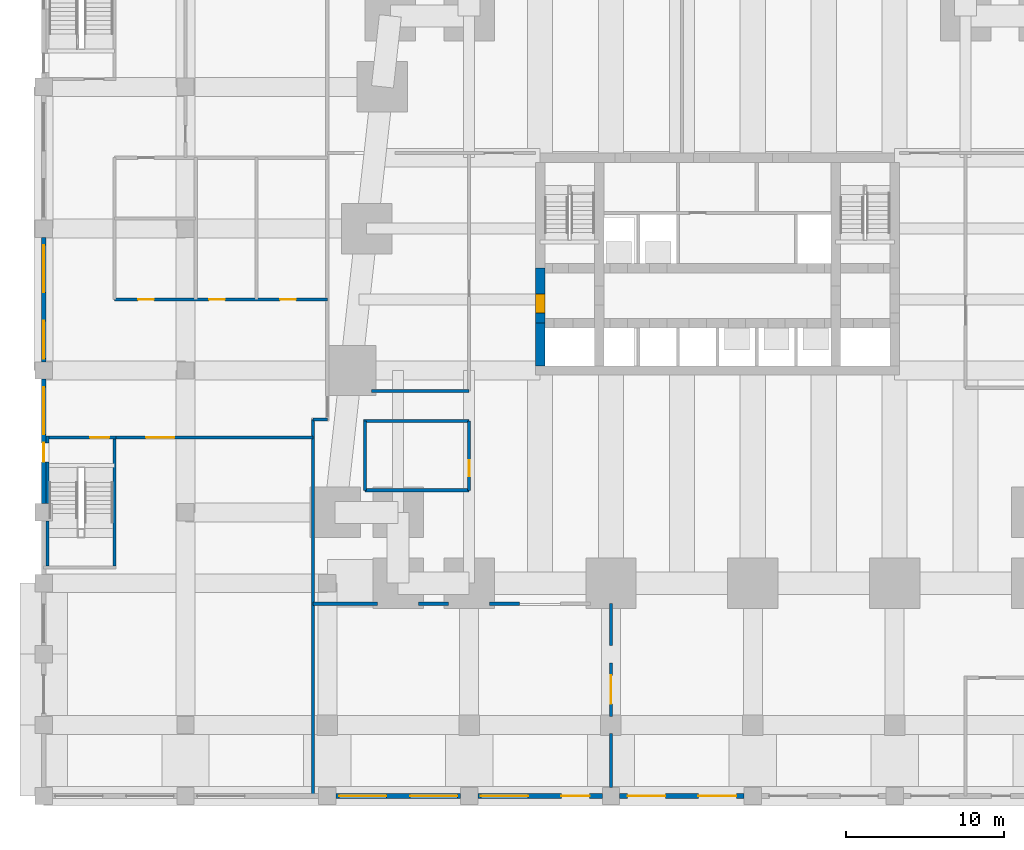
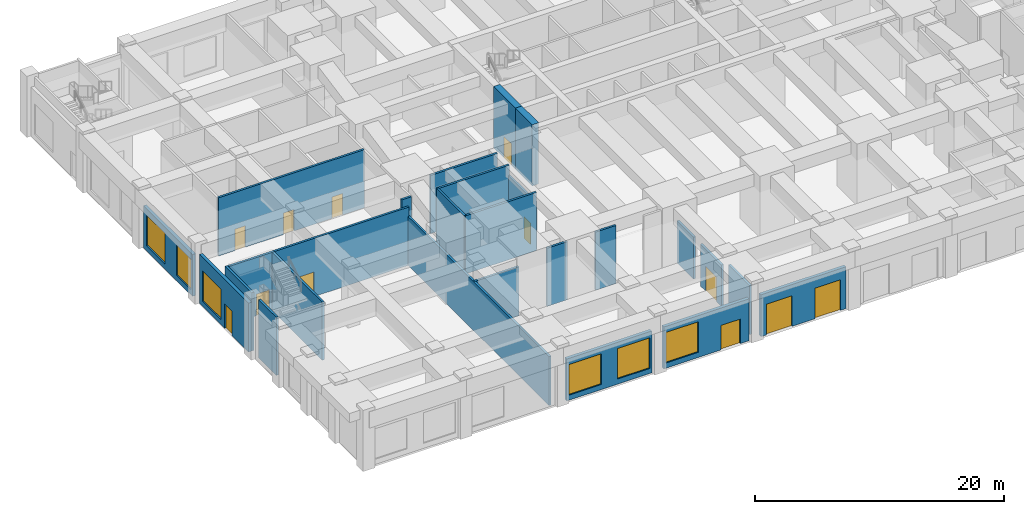
# One storey, part 3 of 13: 26 walls, 12 doors, 6 windows, 19 openings.
"""IFC4 building model written with IfcOpenShell, lengths in metres."""

from ifc_helpers import new_model, si_unit, direction, frame, frame_2d, origin, place, context, subcontext, project, spatial, rectangle, extrude, material, layer, layer_set, type_object, element, fill, save


model = new_model("IFC4")

# Units and contexts
model_context = context("Model", 3, precision=1e-05, world=origin(), true_north=direction((0.0, 1.0)))
body_context = subcontext(model_context, "Body", "Model", "MODEL_VIEW")
ifc_project = project(units=[si_unit("LENGTHUNIT", "METRE"), si_unit("AREAUNIT", "SQUARE_METRE"), si_unit("VOLUMEUNIT", "CUBIC_METRE"), si_unit("PLANEANGLEUNIT", "RADIAN"), si_unit("MASSUNIT", "GRAM", prefix="KILO")], contexts=[model_context])

# Site, building, storey
site_placement = place(None, origin())
site = spatial("IfcSite", under=ifc_project, at=site_placement, CompositionType="ELEMENT")
building_placement = place(site_placement, origin())
building = spatial("IfcBuilding", under=site, at=building_placement, Name="Kilele Tower Hotel", CompositionType="ELEMENT")
storey_placement = place(building_placement, origin())
storey = spatial("IfcBuildingStorey", under=building, at=storey_placement, Name="L00", CompositionType="ELEMENT", Elevation=0.0)

# Wall, opening, door
ifc_material_1 = material(Name="Concrete C60/75", Category="concrete")
ifc_layer_1 = layer(ifc_material_1, 0.60009765625)
ifc_layer_set_1 = layer_set([ifc_layer_1], Name="Concrete C60/75")
wall_type_1 = type_object("IfcWallType", Name="Core wall 600 C60/75", PredefinedType="SHEAR", material=ifc_layer_set_1)
wall_1_placement = place(storey_placement, frame((13.5, 20.0, 0.0), z_axis=(0.0, 0.0, 1.0), x_axis=(0.0, -1.0, 0.0)))
wall_1 = element("IfcWall", 1, at=wall_1_placement, inside=storey, type_object=wall_type_1, Name="Core wall W2 L00", PredefinedType="SHEAR", context=body_context, shape_type="SweptSolid", body=[
    extrude(rectangle(XDim=3.5, YDim=0.60009765625, at=frame_2d((1.75, 0.0))), origin(), (0.0, 0.0, 1.0), 6.0),
])
opening_1_placement = place(wall_1_placement, frame((1.64990234375, 0.0, 0.0)))
opening_1 = element("IfcOpeningElement", 2, at=opening_1_placement, cuts=wall_1, Name="Opening D4", PredefinedType="OPENING", context=body_context, shape_type="SweptSolid", body=[
    extrude(rectangle(XDim=1.199951171875, YDim=2.10009765625, at=frame_2d((0.60009765625, 1.050048828125))), frame((0.0, 0.31005859375, 0.0), z_axis=(0.0, -1.0, 0.0), x_axis=(1.0, 0.0, 0.0)), (0.0, 0.0, 1.0), 0.6201171875),
])
ifc_material_2 = material(Name="Timber door leaf in hardwood frame", Category="wood")
door_type_1 = type_object("IfcDoorType", Name="Firefighting lobby door 1200", OperationType="SINGLE_SWING_LEFT", PredefinedType="DOOR", material=ifc_material_2)
door_1_placement = place(opening_1_placement, origin())
door_1 = element("IfcDoor", 3, at=door_1_placement, inside=storey, type_object=door_type_1, Name="Lobby door L00", OperationType="SINGLE_SWING_RIGHT", OverallHeight=2.10009765625, OverallWidth=1.199951171875, PredefinedType="DOOR", context=body_context, shape_type="SweptSolid", body=[
    extrude(rectangle(XDim=1.199951171875, YDim=2.10009765625, at=frame_2d((0.60009765625, 1.050048828125))), frame((0.0, 0.2998046875, 0.0), z_axis=(0.0, -1.0, 0.0), x_axis=(1.0, 0.0, 0.0)), (0.0, 0.0, 1.0), 0.599609375),
])
fill(opening_1, door_1)

# Walls
wall_2_placement = place(storey_placement, frame((13.5, 16.5, 0.0), z_axis=(0.0, 0.0, 1.0), x_axis=(0.0, -1.0, 0.0)))
element("IfcWall", 4, at=wall_2_placement, inside=storey, type_object=wall_type_1, Name="Core wall W3 L00", PredefinedType="SHEAR", context=body_context, shape_type="SweptSolid", body=[
    extrude(rectangle(XDim=2.699951171875, YDim=0.60009765625, at=frame_2d((1.35009765625, 0.0))), origin(), (0.0, 0.0, 1.0), 6.0),
])
ifc_material_3 = material(Name="Blockwork, plastered both sides", Category="masonry")
ifc_layer_2 = layer(ifc_material_3, 0.199951171875)
ifc_layer_set_2 = layer_set([ifc_layer_2], Name="Blockwork, plastered both sides")
wall_type_2 = type_object("IfcWallType", Name="Partition wall 200", PredefinedType="PARTITIONING", material=ifc_layer_set_2)
wall_3_placement = place(storey_placement, frame((-0.89990234375, -13.5, 0.0), z_axis=(0.0, 0.0, 1.0), x_axis=(0.0, 1.0, 0.0)))
element("IfcWall", 5, at=wall_3_placement, inside=storey, type_object=wall_type_2, Name="Partition wall 200 L00", PredefinedType="PARTITIONING", context=body_context, shape_type="SweptSolid", body=[
    extrude(rectangle(XDim=23.89990234375, YDim=0.199951171875, at=frame_2d((11.949951171875, 0.0))), origin(), (0.0, 0.0, 1.0), 4.800048828125),
])
wall_4_placement = place(storey_placement, frame((-0.89990234375, 10.39990234375, 0.0), z_axis=(0.0, 0.0, 1.0), x_axis=(1.0, 0.0, 0.0)))
element("IfcWall", 6, at=wall_4_placement, inside=storey, type_object=wall_type_2, Name="Partition wall 200 L00", PredefinedType="PARTITIONING", context=body_context, shape_type="SweptSolid", body=[
    extrude(rectangle(XDim=0.89990234375, YDim=0.199951171875, at=frame_2d((0.449951171875, 0.0))), origin(), (0.0, 0.0, 1.0), 5.699951171875),
])

# Wall, openings, doors
wall_5_placement = place(storey_placement, frame((-13.5, 18.0, 0.0), z_axis=(0.0, 0.0, 1.0), x_axis=(1.0, 0.0, 0.0)))
wall_5 = element("IfcWall", 7, at=wall_5_placement, inside=storey, type_object=wall_type_2, Name="Partition wall 200 L00", PredefinedType="PARTITIONING", context=body_context, shape_type="SweptSolid", body=[
    extrude(rectangle(XDim=13.5, YDim=0.199951171875, at=frame_2d((6.75, 0.0))), origin(), (0.0, 0.0, 1.0), 5.699951171875),
])
opening_2_placement = place(wall_5_placement, frame((6.0, 0.0, 0.0)))
opening_2 = element("IfcOpeningElement", 8, at=opening_2_placement, cuts=wall_5, Name="Opening D8", PredefinedType="OPENING", context=body_context, shape_type="SweptSolid", body=[
    extrude(rectangle(XDim=1.0, YDim=2.10009765625, at=frame_2d((0.5, 1.050048828125))), frame((0.0, 0.10986328125, 0.0), z_axis=(0.0, -1.0, 0.0), x_axis=(1.0, 0.0, 0.0)), (0.0, 0.0, 1.0), 0.219970703125),
])
opening_3_placement = place(wall_5_placement, frame((10.5, 0.0, 0.0)))
opening_3 = element("IfcOpeningElement", 9, at=opening_3_placement, cuts=wall_5, Name="Opening D8", PredefinedType="OPENING", context=body_context, shape_type="SweptSolid", body=[
    extrude(rectangle(XDim=1.0, YDim=2.10009765625, at=frame_2d((0.5, 1.050048828125))), frame((0.0, 0.10986328125, 0.0), z_axis=(0.0, -1.0, 0.0), x_axis=(1.0, 0.0, 0.0)), (0.0, 0.0, 1.0), 0.219970703125),
])
opening_4_placement = place(wall_5_placement, frame((1.5, 0.0, 0.0)))
opening_4 = element("IfcOpeningElement", 10, at=opening_4_placement, cuts=wall_5, Name="Opening D8", PredefinedType="OPENING", context=body_context, shape_type="SweptSolid", body=[
    extrude(rectangle(XDim=1.0, YDim=2.10009765625, at=frame_2d((0.5, 1.050048828125))), frame((0.0, 0.10986328125, 0.0), z_axis=(0.0, -1.0, 0.0), x_axis=(1.0, 0.0, 0.0)), (0.0, 0.0, 1.0), 0.219970703125),
])
ifc_material_4 = material(Name="Timber door leaf in hardwood frame", Category="wood")
door_type_2 = type_object("IfcDoorType", Name="Door 1000", OperationType="SINGLE_SWING_LEFT", PredefinedType="DOOR", material=ifc_material_4)
door_2_placement = place(opening_2_placement, origin())
door_2 = element("IfcDoor", 11, at=door_2_placement, inside=storey, type_object=door_type_2, Name="WC men door", OperationType="SINGLE_SWING_LEFT", OverallHeight=2.10009765625, OverallWidth=1.0, PredefinedType="DOOR", context=body_context, shape_type="SweptSolid", body=[
    extrude(rectangle(XDim=1.0, YDim=2.10009765625, at=frame_2d((0.5, 1.050048828125))), frame((0.0, 0.02490234375, 0.0), z_axis=(0.0, -1.0, 0.0), x_axis=(1.0, 0.0, 0.0)), (0.0, 0.0, 1.0), 0.050048828125),
])
fill(opening_2, door_2)
door_3_placement = place(opening_3_placement, origin())
door_3 = element("IfcDoor", 12, at=door_3_placement, inside=storey, type_object=door_type_2, Name="WC women door", OperationType="SINGLE_SWING_LEFT", OverallHeight=2.10009765625, OverallWidth=1.0, PredefinedType="DOOR", context=body_context, shape_type="SweptSolid", body=[
    extrude(rectangle(XDim=1.0, YDim=2.10009765625, at=frame_2d((0.5, 1.050048828125))), frame((0.0, 0.02490234375, 0.0), z_axis=(0.0, -1.0, 0.0), x_axis=(1.0, 0.0, 0.0)), (0.0, 0.0, 1.0), 0.050048828125),
])
fill(opening_3, door_3)
door_4_placement = place(opening_4_placement, origin())
door_4 = element("IfcDoor", 13, at=door_4_placement, inside=storey, type_object=door_type_2, Name="Cleaner's store door", OperationType="SINGLE_SWING_LEFT", OverallHeight=2.10009765625, OverallWidth=1.0, PredefinedType="DOOR", context=body_context, shape_type="SweptSolid", body=[
    extrude(rectangle(XDim=1.0, YDim=2.10009765625, at=frame_2d((0.5, 1.050048828125))), frame((0.0, 0.02490234375, 0.0), z_axis=(0.0, -1.0, 0.0), x_axis=(1.0, 0.0, 0.0)), (0.0, 0.0, 1.0), 0.050048828125),
])
fill(opening_4, door_4)

# Wall, opening, door
wall_6_placement = place(storey_placement, frame((-13.5, 9.25, 0.0), z_axis=(0.0, 0.0, 1.0), x_axis=(1.0, 0.0, 0.0)))
wall_6 = element("IfcWall", 14, at=wall_6_placement, inside=storey, type_object=wall_type_2, Name="Partition wall 200 L00", PredefinedType="PARTITIONING", context=body_context, shape_type="SweptSolid", body=[
    extrude(rectangle(XDim=12.60009765625, YDim=0.199951171875, at=frame_2d((6.300048828125, 0.0))), origin(), (0.0, 0.0, 1.0), 5.699951171875),
])
opening_5_placement = place(wall_6_placement, frame((2.0, 0.0, 0.0)))
opening_5 = element("IfcOpeningElement", 15, at=opening_5_placement, cuts=wall_6, Name="Opening D9", PredefinedType="OPENING", context=body_context, shape_type="SweptSolid", body=[
    extrude(rectangle(XDim=1.800048828125, YDim=2.39990234375, at=frame_2d((0.89990234375, 1.199951171875))), frame((0.0, 0.10986328125, 0.0), z_axis=(0.0, -1.0, 0.0), x_axis=(1.0, 0.0, 0.0)), (0.0, 0.0, 1.0), 0.219970703125),
])
ifc_material_5 = material(Name="Timber door leaf in hardwood frame", Category="wood")
door_type_3 = type_object("IfcDoorType", Name="Double door 1800", OperationType="DOUBLE_DOOR_SINGLE_SWING", PredefinedType="DOOR", material=ifc_material_5)
door_5_placement = place(opening_5_placement, origin())
door_5 = element("IfcDoor", 16, at=door_5_placement, inside=storey, type_object=door_type_3, Name="Door event salon", OperationType="DOUBLE_DOOR_SINGLE_SWING", OverallHeight=2.39990234375, OverallWidth=1.800048828125, PredefinedType="DOOR", context=body_context, shape_type="SweptSolid", body=[
    extrude(rectangle(XDim=1.800048828125, YDim=2.39990234375, at=frame_2d((0.89990234375, 1.199951171875))), frame((0.0, 0.02490234375, 0.0), z_axis=(0.0, -1.0, 0.0), x_axis=(1.0, 0.0, 0.0)), (0.0, 0.0, 1.0), 0.050048828125),
])
fill(opening_5, door_5)

# Walls
wall_7_placement = place(storey_placement, frame((-0.89990234375, -1.300048828125, 0.0), z_axis=(0.0, 0.0, 1.0), x_axis=(1.0, 0.0, 0.0)))
element("IfcWall", 17, at=wall_7_placement, inside=storey, type_object=wall_type_2, Name="Partition wall 200 L00", PredefinedType="PARTITIONING", context=body_context, shape_type="SweptSolid", body=[
    extrude(rectangle(XDim=4.099853515625, YDim=0.199951171875, at=frame_2d((2.0498046875, 0.0))), origin(), (0.0, 0.0, 1.0), 4.800048828125),
])
for number, where, z_axis, x_axis, name in (
    (18, (5.800048828125, -1.300048828125, 0.0), (0.0, 0.0, 1.0), (1.0, 0.0, 0.0), "Partition wall 200 L00"),
    (19, (10.300048828125, -1.300048828125, 0.0), (0.0, 0.0, 1.0), (1.0, 0.0, 0.0), "Partition wall 200 L00"),
):
    element("IfcWall", number, at=place(storey_placement, frame(where, z_axis=z_axis, x_axis=x_axis)), inside=storey, type_object=wall_type_2, Name=name, PredefinedType="PARTITIONING", context=body_context, shape_type="SweptSolid", body=[
        extrude(rectangle(XDim=1.89990234375, YDim=0.199951171875, at=frame_2d((0.949951171875, 0.0))), origin(), (0.0, 0.0, 1.0), 5.699951171875),
    ])
wall_8_placement = place(storey_placement, frame((18.0, -12.949951171875, 0.0), z_axis=(0.0, 0.0, 1.0), x_axis=(0.0, 1.0, 0.0)))
element("IfcWall", 20, at=wall_8_placement, inside=storey, type_object=wall_type_2, Name="Partition wall 200 L00", PredefinedType="PARTITIONING", context=body_context, shape_type="SweptSolid", body=[
    extrude(rectangle(XDim=3.39990234375, YDim=0.199951171875, at=frame_2d((1.699951171875, 0.0))), origin(), (0.0, 0.0, 1.0), 4.800048828125),
])

# Wall, opening, door
wall_9_placement = place(storey_placement, frame((18.0, -8.449951171875, 0.0), z_axis=(0.0, 0.0, 1.0), x_axis=(0.0, 1.0, 0.0)))
wall_9 = element("IfcWall", 21, at=wall_9_placement, inside=storey, type_object=wall_type_2, Name="Partition wall 200 L00", PredefinedType="PARTITIONING", context=body_context, shape_type="SweptSolid", body=[
    extrude(rectangle(XDim=3.39990234375, YDim=0.199951171875, at=frame_2d((1.699951171875, 0.0))), origin(), (0.0, 0.0, 1.0), 4.10009765625),
])
opening_6_placement = place(wall_9_placement, frame((0.800048828125, 0.0, 0.0)))
opening_6 = element("IfcOpeningElement", 22, at=opening_6_placement, cuts=wall_9, Name="Opening D9", PredefinedType="OPENING", context=body_context, shape_type="SweptSolid", body=[
    extrude(rectangle(XDim=1.800048828125, YDim=2.39990234375, at=frame_2d((0.89990234375, 1.199951171875))), frame((0.0, 0.10986328125, 0.0), z_axis=(0.0, -1.0, 0.0), x_axis=(1.0, 0.0, 0.0)), (0.0, 0.0, 1.0), 0.219970703125),
])
door_6_placement = place(opening_6_placement, origin())
door_6 = element("IfcDoor", 23, at=door_6_placement, inside=storey, type_object=door_type_3, Name="Door boutique", OperationType="DOUBLE_DOOR_SINGLE_SWING", OverallHeight=2.39990234375, OverallWidth=1.800048828125, PredefinedType="DOOR", context=body_context, shape_type="SweptSolid", body=[
    extrude(rectangle(XDim=1.800048828125, YDim=2.39990234375, at=frame_2d((0.89990234375, 1.199951171875))), frame((0.0, 0.02490234375, 0.0), z_axis=(0.0, -1.0, 0.0), x_axis=(1.0, 0.0, 0.0)), (0.0, 0.0, 1.0), 0.050048828125),
])
fill(opening_6, door_6)

# Wall
wall_10_placement = place(storey_placement, frame((18.0, -3.949951171875, 0.0), z_axis=(0.0, 0.0, 1.0), x_axis=(0.0, 1.0, 0.0)))
element("IfcWall", 24, at=wall_10_placement, inside=storey, type_object=wall_type_2, Name="Partition wall 200 L00", PredefinedType="PARTITIONING", context=body_context, shape_type="SweptSolid", body=[
    extrude(rectangle(XDim=2.64990234375, YDim=0.199951171875, at=frame_2d((1.324951171875, 0.0))), origin(), (0.0, 0.0, 1.0), 4.10009765625),
])

# Wall, opening, door
wall_11_placement = place(storey_placement, frame((9.0, 5.89990234375, 0.0), z_axis=(0.0, 0.0, 1.0), x_axis=(0.0, 1.0, 0.0)))
wall_11 = element("IfcWall", 25, at=wall_11_placement, inside=storey, type_object=wall_type_2, Name="Partition wall 200 L00", PredefinedType="PARTITIONING", context=body_context, shape_type="SweptSolid", body=[
    extrude(rectangle(XDim=4.400146484375, YDim=0.199951171875, at=frame_2d((2.2001953125, 0.0))), origin(), (0.0, 0.0, 1.0), 4.699951171875),
])
opening_7_placement = place(wall_11_placement, frame((0.89990234375, 0.0, 0.0)))
opening_7 = element("IfcOpeningElement", 26, at=opening_7_placement, cuts=wall_11, Name="Opening D8", PredefinedType="OPENING", context=body_context, shape_type="SweptSolid", body=[
    extrude(rectangle(XDim=1.0, YDim=2.10009765625, at=frame_2d((0.5, 1.050048828125))), frame((0.0, 0.10986328125, 0.0), z_axis=(0.0, -1.0, 0.0), x_axis=(1.0, 0.0, 0.0)), (0.0, 0.0, 1.0), 0.219970703125),
])
door_7_placement = place(opening_7_placement, origin())
door_7 = element("IfcDoor", 27, at=door_7_placement, inside=storey, type_object=door_type_2, Name="Door front office", OperationType="SINGLE_SWING_LEFT", OverallHeight=2.10009765625, OverallWidth=1.0, PredefinedType="DOOR", context=body_context, shape_type="SweptSolid", body=[
    extrude(rectangle(XDim=1.0, YDim=2.10009765625, at=frame_2d((0.5, 1.050048828125))), frame((0.0, 0.02490234375, 0.0), z_axis=(0.0, -1.0, 0.0), x_axis=(1.0, 0.0, 0.0)), (0.0, 0.0, 1.0), 0.050048828125),
])
fill(opening_7, door_7)

# Walls
wall_12_placement = place(storey_placement, frame((2.300048828125, 10.300048828125, 0.0), z_axis=(0.0, 0.0, 1.0), x_axis=(1.0, 0.0, 0.0)))
element("IfcWall", 28, at=wall_12_placement, inside=storey, type_object=wall_type_2, Name="Partition wall 200 L00", PredefinedType="PARTITIONING", context=body_context, shape_type="SweptSolid", body=[
    extrude(rectangle(XDim=6.699951171875, YDim=0.199951171875, at=frame_2d((3.35009765625, 0.0))), origin(), (0.0, 0.0, 1.0), 5.699951171875),
])
wall_13_placement = place(storey_placement, frame((2.39990234375, 5.89990234375, 0.0), z_axis=(0.0, 0.0, 1.0), x_axis=(1.0, 0.0, 0.0)))
element("IfcWall", 29, at=wall_13_placement, inside=storey, type_object=wall_type_2, Name="Partition wall 200 L00", PredefinedType="PARTITIONING", context=body_context, shape_type="SweptSolid", body=[
    extrude(rectangle(XDim=6.60009765625, YDim=0.199951171875, at=frame_2d((3.300048828125, 0.0))), origin(), (0.0, 0.0, 1.0), 5.699951171875),
])
wall_14_placement = place(storey_placement, frame((2.39990234375, 5.89990234375, 0.0), z_axis=(0.0, 0.0, 1.0), x_axis=(0.0, 1.0, 0.0)))
element("IfcWall", 30, at=wall_14_placement, inside=storey, type_object=wall_type_2, Name="Partition wall 200 L00", PredefinedType="PARTITIONING", context=body_context, shape_type="SweptSolid", body=[
    extrude(rectangle(XDim=4.400146484375, YDim=0.199951171875, at=frame_2d((2.2001953125, 0.0))), origin(), (0.0, 0.0, 1.0), 5.699951171875),
])
wall_15_placement = place(storey_placement, frame((2.800048828125, 12.199951171875, 0.0), z_axis=(0.0, 0.0, 1.0), x_axis=(1.0, 0.0, 0.0)))
element("IfcWall", 31, at=wall_15_placement, inside=storey, type_object=wall_type_2, Name="Partition wall 200 L00", PredefinedType="PARTITIONING", context=body_context, shape_type="SweptSolid", body=[
    extrude(rectangle(XDim=6.199951171875, YDim=0.199951171875, at=frame_2d((3.10009765625, 0.0))), origin(), (0.0, 0.0, 1.0), 5.699951171875),
])

# Wall, openings, windows
ifc_material_6 = material(Name="Concrete C40/50 precast", Category="concrete")
ifc_layer_3 = layer(ifc_material_6, 0.260009765625, Name="Precast backing", Category="LoadBearing")
ifc_material_7 = material(Name="Reconstituted stone finish", Category="masonry")
ifc_layer_4 = layer(ifc_material_7, 0.0400390625, Name="Face mix", Category="Finish")
ifc_layer_set_3 = layer_set([ifc_layer_3, ifc_layer_4], Name="Precast concrete C40/50, reconstituted stone finish")
wall_type_3 = type_object("IfcWallType", Name="Precast stone facade wall 300", PredefinedType="STANDARD", material=ifc_layer_set_3)
wall_16_placement = place(storey_placement, frame((0.550048828125, -13.5, 0.0), z_axis=(0.0, 0.0, 1.0), x_axis=(1.0, 0.0, 0.0)))
wall_16 = element("IfcWall", 32, at=wall_16_placement, inside=storey, type_object=wall_type_3, Name="Podium wall L00 S", PredefinedType="STANDARD", context=body_context, shape_type="SweptSolid", body=[
    extrude(rectangle(XDim=7.89990234375, YDim=0.300048828125, at=frame_2d((3.949951171875, 0.0))), origin(), (0.0, 0.0, 1.0), 4.10009765625),
])
opening_8_placement = place(wall_16_placement, frame((0.199951171875, 0.0, 0.5)))
opening_8 = element("IfcOpeningElement", 33, at=opening_8_placement, cuts=wall_16, Name="Opening W5", PredefinedType="OPENING", context=body_context, shape_type="SweptSolid", body=[
    extrude(rectangle(XDim=3.0, YDim=3.0, at=frame_2d((1.5, 1.5))), frame((0.0, 0.159912109375, 0.0), z_axis=(0.0, -1.0, 0.0), x_axis=(1.0, 0.0, 0.0)), (0.0, 0.0, 1.0), 0.320068359375),
])
opening_9_placement = place(wall_16_placement, frame((4.699951171875, 0.0, 0.5)))
opening_9 = element("IfcOpeningElement", 34, at=opening_9_placement, cuts=wall_16, Name="Opening W5", PredefinedType="OPENING", context=body_context, shape_type="SweptSolid", body=[
    extrude(rectangle(XDim=3.0, YDim=3.0, at=frame_2d((1.5, 1.5))), frame((0.0, 0.159912109375, 0.0), z_axis=(0.0, -1.0, 0.0), x_axis=(1.0, 0.0, 0.0)), (0.0, 0.0, 1.0), 0.320068359375),
])
ifc_material_8 = material(Name="Aluminium frame, clear double glazing", Category="aluminium")
window_type_1 = type_object("IfcWindowType", Name="Window W5 3000 x 3000", PartitioningType="SINGLE_PANEL", PredefinedType="WINDOW", material=ifc_material_8)
window_1_placement = place(opening_8_placement, origin())
window_1 = element("IfcWindow", 35, at=window_1_placement, inside=storey, type_object=window_type_1, Name="Shopfront window L00", OverallHeight=3.0, OverallWidth=3.0, PartitioningType="SINGLE_PANEL", PredefinedType="WINDOW", context=body_context, shape_type="SweptSolid", body=[
    extrude(rectangle(XDim=3.0, YDim=3.0, at=frame_2d((1.5, 1.5))), frame((0.0, 0.030029296875, 0.0), z_axis=(0.0, -1.0, 0.0), x_axis=(1.0, 0.0, 0.0)), (0.0, 0.0, 1.0), 0.06005859375),
])
fill(opening_8, window_1)
window_2_placement = place(opening_9_placement, origin())
window_2 = element("IfcWindow", 36, at=window_2_placement, inside=storey, type_object=window_type_1, Name="Shopfront window L00", OverallHeight=3.0, OverallWidth=3.0, PartitioningType="SINGLE_PANEL", PredefinedType="WINDOW", context=body_context, shape_type="SweptSolid", body=[
    extrude(rectangle(XDim=3.0, YDim=3.0, at=frame_2d((1.5, 1.5))), frame((0.0, 0.030029296875, 0.0), z_axis=(0.0, -1.0, 0.0), x_axis=(1.0, 0.0, 0.0)), (0.0, 0.0, 1.0), 0.06005859375),
])
fill(opening_9, window_2)

# Wall, openings, door, window
wall_17_placement = place(storey_placement, frame((9.550048828125, -13.5, 0.0), z_axis=(0.0, 0.0, 1.0), x_axis=(1.0, 0.0, 0.0)))
wall_17 = element("IfcWall", 37, at=wall_17_placement, inside=storey, type_object=wall_type_3, Name="Podium wall L00 S", PredefinedType="STANDARD", context=body_context, shape_type="SweptSolid", body=[
    extrude(rectangle(XDim=7.89990234375, YDim=0.300048828125, at=frame_2d((3.949951171875, 0.0))), origin(), (0.0, 0.0, 1.0), 4.10009765625),
])
opening_10_placement = place(wall_17_placement, frame((7.10009765625, 0.0, 0.0), z_axis=(0.0, 0.0, 1.0), x_axis=(-1.0, 0.0, 0.0)))
opening_10 = element("IfcOpeningElement", 38, at=opening_10_placement, cuts=wall_17, Name="Opening ED4", PredefinedType="OPENING", context=body_context, shape_type="SweptSolid", body=[
    extrude(rectangle(XDim=1.800048828125, YDim=2.39990234375, at=frame_2d((0.89990234375, 1.199951171875))), frame((0.0, 0.159912109375, 0.0), z_axis=(0.0, -1.0, 0.0), x_axis=(1.0, 0.0, 0.0)), (0.0, 0.0, 1.0), 0.320068359375),
])
opening_11_placement = place(wall_17_placement, frame((0.199951171875, 0.0, 0.5)))
opening_11 = element("IfcOpeningElement", 39, at=opening_11_placement, cuts=wall_17, Name="Opening W5", PredefinedType="OPENING", context=body_context, shape_type="SweptSolid", body=[
    extrude(rectangle(XDim=3.0, YDim=3.0, at=frame_2d((1.5, 1.5))), frame((0.0, 0.159912109375, 0.0), z_axis=(0.0, -1.0, 0.0), x_axis=(1.0, 0.0, 0.0)), (0.0, 0.0, 1.0), 0.320068359375),
])
ifc_material_9 = material(Name="Aluminium frame, clear glazing", Category="aluminium")
door_type_4 = type_object("IfcDoorType", Name="Shop door 1800", OperationType="DOUBLE_DOOR_SINGLE_SWING", PredefinedType="DOOR", material=ifc_material_9)
door_8_placement = place(opening_10_placement, origin())
door_8 = element("IfcDoor", 40, at=door_8_placement, inside=storey, type_object=door_type_4, Name="Shop door", OperationType="DOUBLE_DOOR_SINGLE_SWING", OverallHeight=2.39990234375, OverallWidth=1.800048828125, PredefinedType="DOOR", context=body_context, shape_type="SweptSolid", body=[
    extrude(rectangle(XDim=1.800048828125, YDim=2.39990234375, at=frame_2d((0.89990234375, 1.199951171875))), frame((0.0, 0.02490234375, 0.0), z_axis=(0.0, -1.0, 0.0), x_axis=(1.0, 0.0, 0.0)), (0.0, 0.0, 1.0), 0.050048828125),
])
fill(opening_10, door_8)
window_3_placement = place(opening_11_placement, origin())
window_3 = element("IfcWindow", 41, at=window_3_placement, inside=storey, type_object=window_type_1, Name="Shopfront window L00", OverallHeight=3.0, OverallWidth=3.0, PartitioningType="SINGLE_PANEL", PredefinedType="WINDOW", context=body_context, shape_type="SweptSolid", body=[
    extrude(rectangle(XDim=3.0, YDim=3.0, at=frame_2d((1.5, 1.5))), frame((0.0, 0.030029296875, 0.0), z_axis=(0.0, -1.0, 0.0), x_axis=(1.0, 0.0, 0.0)), (0.0, 0.0, 1.0), 0.06005859375),
])
fill(opening_11, window_3)

# Wall, openings, doors
wall_18_placement = place(storey_placement, frame((18.550048828125, -13.5, 0.0), z_axis=(0.0, 0.0, 1.0), x_axis=(1.0, 0.0, 0.0)))
wall_18 = element("IfcWall", 42, at=wall_18_placement, inside=storey, type_object=wall_type_3, Name="Podium wall L00 S", PredefinedType="STANDARD", context=body_context, shape_type="SweptSolid", body=[
    extrude(rectangle(XDim=7.89990234375, YDim=0.300048828125, at=frame_2d((3.949951171875, 0.0))), origin(), (0.0, 0.0, 1.0), 4.10009765625),
])
opening_12_placement = place(wall_18_placement, frame((2.89990234375, 0.0, 0.0), z_axis=(0.0, 0.0, 1.0), x_axis=(-1.0, 0.0, 0.0)))
opening_12 = element("IfcOpeningElement", 43, at=opening_12_placement, cuts=wall_18, Name="Opening ED1", PredefinedType="OPENING", context=body_context, shape_type="SweptSolid", body=[
    extrude(rectangle(XDim=2.39990234375, YDim=3.0, at=frame_2d((1.199951171875, 1.5))), frame((0.0, 0.159912109375, 0.0), z_axis=(0.0, -1.0, 0.0), x_axis=(1.0, 0.0, 0.0)), (0.0, 0.0, 1.0), 0.320068359375),
])
opening_13_placement = place(wall_18_placement, frame((7.39990234375, 0.0, 0.0), z_axis=(0.0, 0.0, 1.0), x_axis=(-1.0, 0.0, 0.0)))
opening_13 = element("IfcOpeningElement", 44, at=opening_13_placement, cuts=wall_18, Name="Opening ED1", PredefinedType="OPENING", context=body_context, shape_type="SweptSolid", body=[
    extrude(rectangle(XDim=2.39990234375, YDim=3.0, at=frame_2d((1.199951171875, 1.5))), frame((0.0, 0.159912109375, 0.0), z_axis=(0.0, -1.0, 0.0), x_axis=(1.0, 0.0, 0.0)), (0.0, 0.0, 1.0), 0.320068359375),
])
ifc_material_10 = material(Name="Aluminium frame, clear glazing", Category="aluminium")
door_type_5 = type_object("IfcDoorType", Name="Entrance door 2400", OperationType="DOUBLE_DOOR_SINGLE_SWING", PredefinedType="DOOR", material=ifc_material_10)
door_9_placement = place(opening_12_placement, origin())
door_9 = element("IfcDoor", 45, at=door_9_placement, inside=storey, type_object=door_type_5, Name="Entrance door", OperationType="DOUBLE_DOOR_SINGLE_SWING", OverallHeight=3.0, OverallWidth=2.39990234375, PredefinedType="DOOR", context=body_context, shape_type="SweptSolid", body=[
    extrude(rectangle(XDim=2.39990234375, YDim=3.0, at=frame_2d((1.199951171875, 1.5))), frame((0.0, 0.02490234375, 0.0), z_axis=(0.0, -1.0, 0.0), x_axis=(1.0, 0.0, 0.0)), (0.0, 0.0, 1.0), 0.050048828125),
])
fill(opening_12, door_9)
door_10_placement = place(opening_13_placement, origin())
door_10 = element("IfcDoor", 46, at=door_10_placement, inside=storey, type_object=door_type_5, Name="Entrance door", OperationType="DOUBLE_DOOR_SINGLE_SWING", OverallHeight=3.0, OverallWidth=2.39990234375, PredefinedType="DOOR", context=body_context, shape_type="SweptSolid", body=[
    extrude(rectangle(XDim=2.39990234375, YDim=3.0, at=frame_2d((1.199951171875, 1.5))), frame((0.0, 0.02490234375, 0.0), z_axis=(0.0, -1.0, 0.0), x_axis=(1.0, 0.0, 0.0)), (0.0, 0.0, 1.0), 0.050048828125),
])
fill(opening_13, door_10)

# Wall, openings, windows
wall_19_placement = place(storey_placement, frame((-18.0, 21.949951171875, 0.0), z_axis=(0.0, 0.0, 1.0), x_axis=(0.0, -1.0, 0.0)))
wall_19 = element("IfcWall", 47, at=wall_19_placement, inside=storey, type_object=wall_type_3, Name="Podium wall L00 W", PredefinedType="STANDARD", context=body_context, shape_type="SweptSolid", body=[
    extrude(rectangle(XDim=7.89990234375, YDim=0.300048828125, at=frame_2d((3.949951171875, 0.0))), origin(), (0.0, 0.0, 1.0), 4.10009765625),
])
opening_14_placement = place(wall_19_placement, frame((0.5, 0.0, 0.5)))
opening_14 = element("IfcOpeningElement", 48, at=opening_14_placement, cuts=wall_19, Name="Opening W5", PredefinedType="OPENING", context=body_context, shape_type="SweptSolid", body=[
    extrude(rectangle(XDim=3.0, YDim=3.0, at=frame_2d((1.5, 1.5))), frame((0.0, 0.159912109375, 0.0), z_axis=(0.0, -1.0, 0.0), x_axis=(1.0, 0.0, 0.0)), (0.0, 0.0, 1.0), 0.320068359375),
])
opening_15_placement = place(wall_19_placement, frame((5.300048828125, 0.0, 0.5)))
opening_15 = element("IfcOpeningElement", 49, at=opening_15_placement, cuts=wall_19, Name="Opening W5", PredefinedType="OPENING", context=body_context, shape_type="SweptSolid", body=[
    extrude(rectangle(XDim=2.39990234375, YDim=3.0, at=frame_2d((1.199951171875, 1.5))), frame((0.0, 0.159912109375, 0.0), z_axis=(0.0, -1.0, 0.0), x_axis=(1.0, 0.0, 0.0)), (0.0, 0.0, 1.0), 0.320068359375),
])
ifc_material_11 = material(Name="Aluminium frame, clear double glazing", Category="aluminium")
window_type_2 = type_object("IfcWindowType", Name="Window W5 2400 x 3000", PartitioningType="SINGLE_PANEL", PredefinedType="WINDOW", material=ifc_material_11)
window_4_placement = place(opening_15_placement, origin())
window_4 = element("IfcWindow", 50, at=window_4_placement, inside=storey, type_object=window_type_2, Name="Shopfront window L00", OverallHeight=3.0, OverallWidth=2.39990234375, PartitioningType="SINGLE_PANEL", PredefinedType="WINDOW", context=body_context, shape_type="SweptSolid", body=[
    extrude(rectangle(XDim=2.39990234375, YDim=3.0, at=frame_2d((1.199951171875, 1.5))), frame((0.0, 0.030029296875, 0.0), z_axis=(0.0, -1.0, 0.0), x_axis=(1.0, 0.0, 0.0)), (0.0, 0.0, 1.0), 0.06005859375),
])
fill(opening_15, window_4)
window_5_placement = place(opening_14_placement, origin())
window_5 = element("IfcWindow", 51, at=window_5_placement, inside=storey, type_object=window_type_1, Name="Shopfront window L00", OverallHeight=3.0, OverallWidth=3.0, PartitioningType="SINGLE_PANEL", PredefinedType="WINDOW", context=body_context, shape_type="SweptSolid", body=[
    extrude(rectangle(XDim=3.0, YDim=3.0, at=frame_2d((1.5, 1.5))), frame((0.0, 0.030029296875, 0.0), z_axis=(0.0, -1.0, 0.0), x_axis=(1.0, 0.0, 0.0)), (0.0, 0.0, 1.0), 0.06005859375),
])
fill(opening_14, window_5)

# Wall, openings, door, window
wall_20_placement = place(storey_placement, frame((-18.0, 12.949951171875, 0.0), z_axis=(0.0, 0.0, 1.0), x_axis=(0.0, -1.0, 0.0)))
wall_20 = element("IfcWall", 52, at=wall_20_placement, inside=storey, type_object=wall_type_3, Name="Podium wall L00 W", PredefinedType="STANDARD", context=body_context, shape_type="SweptSolid", body=[
    extrude(rectangle(XDim=7.89990234375, YDim=0.300048828125, at=frame_2d((3.949951171875, 0.0))), origin(), (0.0, 0.0, 1.0), 4.800048828125),
])
opening_16_placement = place(wall_20_placement, frame((5.25, 0.0, 0.0), z_axis=(0.0, 0.0, 1.0), x_axis=(-1.0, 0.0, 0.0)))
opening_16 = element("IfcOpeningElement", 53, at=opening_16_placement, cuts=wall_20, Name="Opening ED2", PredefinedType="OPENING", context=body_context, shape_type="SweptSolid", body=[
    extrude(rectangle(XDim=1.199951171875, YDim=2.39990234375, at=frame_2d((0.60009765625, 1.199951171875))), frame((0.0, 0.159912109375, 0.0), z_axis=(0.0, -1.0, 0.0), x_axis=(1.0, 0.0, 0.0)), (0.0, 0.0, 1.0), 0.320068359375),
])
opening_17_placement = place(wall_20_placement, frame((0.5, 0.0, 0.5)))
opening_17 = element("IfcOpeningElement", 54, at=opening_17_placement, cuts=wall_20, Name="Opening W5", PredefinedType="OPENING", context=body_context, shape_type="SweptSolid", body=[
    extrude(rectangle(XDim=3.0, YDim=3.0, at=frame_2d((1.5, 1.5))), frame((0.0, 0.159912109375, 0.0), z_axis=(0.0, -1.0, 0.0), x_axis=(1.0, 0.0, 0.0)), (0.0, 0.0, 1.0), 0.320068359375),
])
ifc_material_12 = material(Name="Aluminium frame, clear glazing", Category="aluminium")
door_type_6 = type_object("IfcDoorType", Name="Exit door 1200", OperationType="SINGLE_SWING_LEFT", PredefinedType="DOOR", material=ifc_material_12)
door_11_placement = place(opening_16_placement, origin())
door_11 = element("IfcDoor", 55, at=door_11_placement, inside=storey, type_object=door_type_6, Name="Exit door", OperationType="SINGLE_SWING_LEFT", OverallHeight=2.39990234375, OverallWidth=1.199951171875, PredefinedType="DOOR", context=body_context, shape_type="SweptSolid", body=[
    extrude(rectangle(XDim=1.199951171875, YDim=2.39990234375, at=frame_2d((0.60009765625, 1.199951171875))), frame((0.0, 0.02490234375, 0.0), z_axis=(0.0, -1.0, 0.0), x_axis=(1.0, 0.0, 0.0)), (0.0, 0.0, 1.0), 0.050048828125),
])
fill(opening_16, door_11)
window_6_placement = place(opening_17_placement, origin())
window_6 = element("IfcWindow", 56, at=window_6_placement, inside=storey, type_object=window_type_1, Name="Shopfront window L00", OverallHeight=3.0, OverallWidth=3.0, PartitioningType="SINGLE_PANEL", PredefinedType="WINDOW", context=body_context, shape_type="SweptSolid", body=[
    extrude(rectangle(XDim=3.0, YDim=3.0, at=frame_2d((1.5, 1.5))), frame((0.0, 0.030029296875, 0.0), z_axis=(0.0, -1.0, 0.0), x_axis=(1.0, 0.0, 0.0)), (0.0, 0.0, 1.0), 0.06005859375),
])
fill(opening_17, window_6)

# Wall, opening, door
ifc_material_13 = material(Name="Concrete C40/50", Category="concrete")
ifc_layer_5 = layer(ifc_material_13, 0.199951171875)
ifc_layer_set_4 = layer_set([ifc_layer_5], Name="Concrete C40/50")
wall_type_4 = type_object("IfcWallType", Name="Stair wall RC 200 C40/50", PredefinedType="SOLIDWALL", material=ifc_layer_set_4)
wall_21_placement = place(storey_placement, frame((-17.64990234375, 9.25, 0.0), z_axis=(0.0, 0.0, 1.0), x_axis=(1.0, 0.0, 0.0)))
wall_21 = element("IfcWall", 57, at=wall_21_placement, inside=storey, type_object=wall_type_4, Name="Stair wall RC 200 C40/50 L00", PredefinedType="SOLIDWALL", context=body_context, shape_type="SweptSolid", body=[
    extrude(rectangle(XDim=4.25, YDim=0.199951171875, at=frame_2d((2.125, 0.0))), origin(), (0.0, 0.0, 1.0), 5.699951171875),
])
opening_18_placement = place(wall_21_placement, frame((3.800048828125, 0.0, 0.0), z_axis=(0.0, 0.0, 1.0), x_axis=(-1.0, 0.0, 0.0)))
opening_18 = element("IfcOpeningElement", 58, at=opening_18_placement, cuts=wall_21, Name="Opening D5A", PredefinedType="OPENING", context=body_context, shape_type="SweptSolid", body=[
    extrude(rectangle(XDim=1.199951171875, YDim=2.10009765625, at=frame_2d((0.60009765625, 1.050048828125))), frame((0.0, 0.10986328125, 0.0), z_axis=(0.0, -1.0, 0.0), x_axis=(1.0, 0.0, 0.0)), (0.0, 0.0, 1.0), 0.219970703125),
])
ifc_material_14 = material(Name="Timber door leaf in hardwood frame", Category="wood")
door_type_7 = type_object("IfcDoorType", Name="Stair door 1200", OperationType="SINGLE_SWING_LEFT", PredefinedType="DOOR", material=ifc_material_14)
door_12_placement = place(opening_18_placement, origin())
door_12 = element("IfcDoor", 59, at=door_12_placement, inside=storey, type_object=door_type_7, Name="Stair 4 door", OperationType="SINGLE_SWING_LEFT", OverallHeight=2.10009765625, OverallWidth=1.199951171875, PredefinedType="DOOR", context=body_context, shape_type="SweptSolid", body=[
    extrude(rectangle(XDim=1.199951171875, YDim=2.10009765625, at=frame_2d((0.60009765625, 1.050048828125))), frame((0.0, 0.02490234375, 0.0), z_axis=(0.0, -1.0, 0.0), x_axis=(1.0, 0.0, 0.0)), (0.0, 0.0, 1.0), 0.050048828125),
])
fill(opening_18, door_12)

# Walls
wall_22_placement = place(storey_placement, frame((-13.5, 1.10009765625, 0.0), z_axis=(0.0, 0.0, 1.0), x_axis=(0.0, 1.0, 0.0)))
element("IfcWall", 60, at=wall_22_placement, inside=storey, type_object=wall_type_4, Name="Stair wall RC 200 C40/50 L00", PredefinedType="SOLIDWALL", context=body_context, shape_type="SweptSolid", body=[
    extrude(rectangle(XDim=8.0498046875, YDim=0.199951171875, at=frame_2d((4.02490234375, 0.0))), origin(), (0.0, 0.0, 1.0), 5.699951171875),
])
wall_23_placement = place(storey_placement, frame((-17.75, 1.10009765625, 0.0), z_axis=(0.0, 0.0, 1.0), x_axis=(0.0, 1.0, 0.0)))
element("IfcWall", 61, at=wall_23_placement, inside=storey, type_object=wall_type_4, Name="Stair wall RC 200 C40/50 L00", PredefinedType="SOLIDWALL", context=body_context, shape_type="SweptSolid", body=[
    extrude(rectangle(XDim=2.849853515625, YDim=0.199951171875, at=frame_2d((1.4248046875, 0.0))), origin(), (0.0, 0.0, 1.0), 5.699951171875),
])

# Wall, opening
wall_24_placement = place(storey_placement, frame((-17.75, 5.050048828125, 0.0), z_axis=(0.0, 0.0, 1.0), x_axis=(0.0, 1.0, 0.0)))
wall_24 = element("IfcWall", 62, at=wall_24_placement, inside=storey, type_object=wall_type_4, Name="Stair wall RC 200 C40/50 L00", PredefinedType="SOLIDWALL", context=body_context, shape_type="SweptSolid", body=[
    extrude(rectangle(XDim=4.300048828125, YDim=0.199951171875, at=frame_2d((2.14990234375, 0.0))), origin(), (0.0, 0.0, 1.0), 5.699951171875),
])
opening_19_placement = place(wall_24_placement, frame((2.64990234375, 0.0, 0.0)))
element("IfcOpeningElement", 63, at=opening_19_placement, cuts=wall_24, Name="Opening SE2 1", PredefinedType="OPENING", context=body_context, shape_type="SweptSolid", body=[
    extrude(rectangle(XDim=1.199951171875, YDim=2.39990234375, at=frame_2d((0.60009765625, 1.199951171875))), frame((0.0, 0.10986328125, 0.0), z_axis=(0.0, -1.0, 0.0), x_axis=(1.0, 0.0, 0.0)), (0.0, 0.0, 1.0), 0.219970703125),
])

save(model, "model.ifc")
